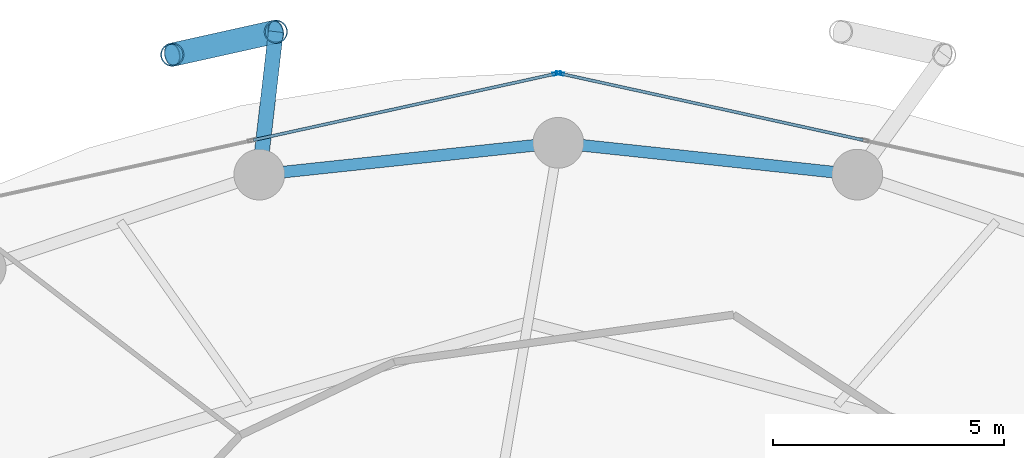
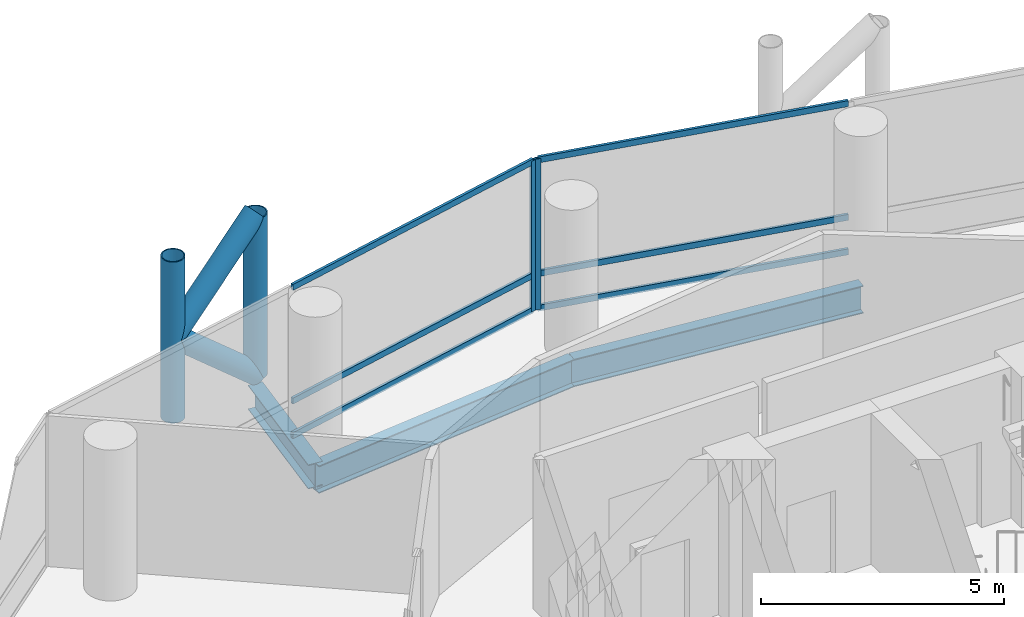
# One storey, part 16 of 24: 12 members, 3 beams, 2 elements without a shape of their own.
"""IFC4 building model written with IfcOpenShell, lengths in metres."""

import ifcopenshell
import ifcopenshell.guid

model = None  # the IFC model being written
_history = None  # IfcOwnerHistory: only IFC2X3 demands one
_inside = {}  # id of a spatial element -> (the spatial element, [elements in it])
_under = {}  # id of a project, library or spatial element -> (it, [spatial elements below it])
_declared = {}  # id of a project -> (the project, [libraries it declares])
_typed = {}  # id of a type object -> (the type object, [elements of that type])
_made_of = {}  # id of a material, layer set ... -> (it, [elements and type objects made of it])


def new_model(schema):
    """Start an empty IFC model of exactly this schema.

    Asked for "IFC4X3", IfcOpenShell would pick the latest addendum, in which some entities
    have other attributes; the version numbers below select the first issue.
    IFC2X3 requires an IfcOwnerHistory on every rooted entity: one is made here for all.
    """
    global model, _history
    if schema == "IFC4X3":
        model = ifcopenshell.file(schema_version=(4, 3, 0, 0))
    else:
        model = ifcopenshell.file(schema=schema)
    _inside.clear()
    _under.clear()
    _declared.clear()
    _typed.clear()
    _made_of.clear()
    _history = None
    if model.schema == "IFC2X3":
        org = make("IfcOrganization", Name="unknown")
        user = make(
            "IfcPersonAndOrganization",
            ThePerson=make("IfcPerson", FamilyName="unknown"),
            TheOrganization=org,
        )
        app = make(
            "IfcApplication",
            ApplicationDeveloper=org,
            Version="unknown",
            ApplicationFullName="unknown",
            ApplicationIdentifier="unknown",
        )
        _history = make(
            "IfcOwnerHistory",
            OwningUser=user,
            OwningApplication=app,
            ChangeAction="ADDED",
            CreationDate=0,
        )
    return model


def make(cls, **values):
    """One entity of the class cls with the attributes given. An attribute that is None is left unset."""
    return model.create_entity(
        cls, **{name: value for name, value in values.items() if value is not None}
    )


def rooted(cls, **values):
    """An entity with a GlobalId (a new one), such as an element, a storey or a relation."""
    return make(cls, GlobalId=ifcopenshell.guid.new(), OwnerHistory=_history, **values)


def si_unit(unit_type, name, prefix=None):
    """IfcSIUnit, for example si_unit("LENGTHUNIT", "METRE", prefix="MILLI")."""
    return make("IfcSIUnit", UnitType=unit_type, Prefix=prefix, Name=name)


def assignment(units):
    """IfcUnitAssignment: the units of a project."""
    return None if units is None else make("IfcUnitAssignment", Units=units)


def point(xyz):
    """IfcCartesianPoint."""
    return None if xyz is None else make("IfcCartesianPoint", Coordinates=xyz)


def direction(xyz):
    """IfcDirection."""
    return None if xyz is None else make("IfcDirection", DirectionRatios=xyz)


def frame(location, z_axis=None, x_axis=None):
    """IfcAxis2Placement3D, a coordinate frame: its origin and axes. An axis left out is left unset."""
    return make(
        "IfcAxis2Placement3D",
        Location=point(location),
        Axis=direction(z_axis),
        RefDirection=direction(x_axis),
    )


def frame_2d(location, x_axis=None):
    """IfcAxis2Placement2D, a coordinate frame in the plane: its origin and x axis."""
    return make(
        "IfcAxis2Placement2D", Location=point(location), RefDirection=direction(x_axis)
    )


def origin():
    """The frame at (0, 0, 0) with its axes left unset."""
    return frame((0.0, 0.0, 0.0))


def origin_2d():
    """The frame at (0, 0) in the plane with its x axis left unset."""
    return frame_2d((0.0, 0.0))


def place(relative_to, where):
    """IfcLocalPlacement: puts the frame where relative to a parent placement (None: the world)."""
    return make(
        "IfcLocalPlacement", PlacementRelTo=relative_to, RelativePlacement=where
    )


def context(
    kind, dimensions, precision=None, world=None, true_north=None, identifier=None
):
    """IfcGeometricRepresentationContext, for example the 3D "Model" context."""
    return make(
        "IfcGeometricRepresentationContext",
        ContextIdentifier=identifier,
        ContextType=kind,
        CoordinateSpaceDimension=dimensions,
        Precision=precision,
        WorldCoordinateSystem=world,
        TrueNorth=true_north,
    )


def subcontext(parent, identifier, kind, view, scale=None):
    """IfcGeometricRepresentationSubContext, for example "Body" below "Model"."""
    return make(
        "IfcGeometricRepresentationSubContext",
        ContextIdentifier=identifier,
        ContextType=kind,
        ParentContext=parent,
        TargetScale=scale,
        TargetView=view,
    )


def project(units=None, contexts=None):
    """IfcProject with its units and contexts."""
    return rooted(
        "IfcProject",
        Name="project",
        RepresentationContexts=contexts,
        UnitsInContext=assignment(units),
    )


def spatial(cls, under=None, at=None, **own):
    """A site, building, storey or space (cls), placed at a placement, below another one or the project."""
    s = rooted(cls, ObjectPlacement=at, **own)
    if under is not None:
        _under.setdefault(under.id(), (under, []))[1].append(s)
    return s


def profile(cls, at=None, kind="AREA", **sizes):
    """A parametric profile (cls). Its sizes go by their IFC names, for example OverallWidth=200.0."""
    return make(cls, ProfileType=kind, Position=at, **sizes)


def hollow_rectangle(**sizes):
    """IfcRectangleHollowProfileDef."""
    return profile("IfcRectangleHollowProfileDef", **sizes)


def hollow_circle(**sizes):
    """IfcCircleHollowProfileDef."""
    return profile("IfcCircleHollowProfileDef", **sizes)


def i_section(**sizes):
    """IfcIShapeProfileDef."""
    return profile("IfcIShapeProfileDef", **sizes)


def extrude(swept, where, along, depth):
    """IfcExtrudedAreaSolid: the profile swept, set in the frame where, extruded along a direction by depth."""
    return make(
        "IfcExtrudedAreaSolid",
        SweptArea=swept,
        Position=where,
        ExtrudedDirection=direction(along),
        Depth=depth,
    )


def shape(context_of_items, identifier, shape_type, items):
    """IfcShapeRepresentation: the items that make up one representation, for example the "Body"."""
    return make(
        "IfcShapeRepresentation",
        ContextOfItems=context_of_items,
        RepresentationIdentifier=identifier,
        RepresentationType=shape_type,
        Items=items,
    )


def material(Name=None, Category=None):
    """IfcMaterial."""
    return make("IfcMaterial", Name=Name, Category=Category)


def layer(
    of_material, thickness, ventilated=None, Name=None, Category=None, Priority=None
):
    """IfcMaterialLayer: one layer of a wall or slab, of a material (None: an air gap)."""
    return make(
        "IfcMaterialLayer",
        Material=of_material,
        LayerThickness=thickness,
        IsVentilated=ventilated,
        Name=Name,
        Category=Category,
        Priority=Priority,
    )


def layer_set(layers, Name=None):
    """IfcMaterialLayerSet."""
    return make("IfcMaterialLayerSet", MaterialLayers=layers, LayerSetName=Name)


def material_profile(
    of_material, cross_section, Name=None, Category=None, Priority=None
):
    """IfcMaterialProfile: a cross section and its material."""
    return make(
        "IfcMaterialProfile",
        Name=Name,
        Material=of_material,
        Profile=cross_section,
        Priority=Priority,
        Category=Category,
    )


def profile_set(profiles, Name=None, composite=None):
    """IfcMaterialProfileSet."""
    return make(
        "IfcMaterialProfileSet",
        Name=Name,
        MaterialProfiles=profiles,
        CompositeProfile=composite,
    )


def made_of(thing, what):
    """Note that an element or type object is made of a material, layer set ...; save() writes the relation."""
    if what is not None:
        _made_of.setdefault(what.id(), (what, []))[1].append(thing)
    return thing


def type_object(cls, material=None, **own):
    """A type object (cls), such as IfcWallType, which elements share."""
    return made_of(rooted(cls, **own), material)


def element(
    cls,
    number,
    at=None,
    inside=None,
    cuts=None,
    type_object=None,
    material=None,
    context=None,
    identifier="Body",
    shape_type=None,
    held_by="IfcProductDefinitionShape",
    body=None,
    shapes=None,
    **own,
):
    """One element of the class cls, such as IfcWall. Its Tag is "e" and its number.

    at: its placement. inside: the storey or other place that contains it. cuts: it is an
    opening in that element (IfcRelVoidsElement). A single representation is given by context,
    identifier, shape_type and body (its items); several are given by shapes. held_by: the class
    of the entity that holds the representations. save() writes the other relations.
    """
    e = rooted(cls, Tag="e%d" % number, ObjectPlacement=at, **own)
    if body is not None:
        shapes = [shape(context, identifier, shape_type, body)]
    if shapes is not None:
        e.Representation = make(held_by, Representations=shapes)
    if inside is not None:
        _inside.setdefault(inside.id(), (inside, []))[1].append(e)
    if cuts is not None:
        rooted(
            "IfcRelVoidsElement", RelatingBuildingElement=cuts, RelatedOpeningElement=e
        )
    if type_object is not None:
        _typed.setdefault(type_object.id(), (type_object, []))[1].append(e)
    return made_of(e, material)


def aggregate(whole, parts):
    """IfcRelAggregates: a whole, such as a stair, and the parts it consists of."""
    return rooted("IfcRelAggregates", RelatingObject=whole, RelatedObjects=parts)


def save(model, path):
    """Write the relations noted so far, then the file.

    IfcRelAggregates (storeys below a building ...), IfcRelContainedInSpatialStructure (elements
    in a storey), IfcRelDefinesByType, IfcRelAssociatesMaterial and IfcRelDeclares: one each for
    every whole, place, type object, material and project.
    """
    for whole, parts in _under.values():
        aggregate(whole, parts)
    for where, things in _inside.values():
        rooted(
            "IfcRelContainedInSpatialStructure",
            RelatedElements=things,
            RelatingStructure=where,
        )
    for kind, things in _typed.values():
        rooted("IfcRelDefinesByType", RelatedObjects=things, RelatingType=kind)
    for what, things in _made_of.values():
        rooted("IfcRelAssociatesMaterial", RelatedObjects=things, RelatingMaterial=what)
    for by, libraries in _declared.values():
        rooted("IfcRelDeclares", RelatingContext=by, RelatedDefinitions=libraries)
    model.write(path)


model = new_model("IFC4")

# Units and contexts
model_context = context("Model", 3, precision=1e-05, world=origin(), true_north=direction((0.0, 1.0)))
body_context = subcontext(model_context, "Body", "Model", "MODEL_VIEW")
ifc_project = project(units=[si_unit("LENGTHUNIT", "METRE"), si_unit("AREAUNIT", "SQUARE_METRE"), si_unit("VOLUMEUNIT", "CUBIC_METRE"), si_unit("PLANEANGLEUNIT", "RADIAN"), si_unit("MASSUNIT", "GRAM", prefix="KILO")], contexts=[model_context])

# Site, building, storey
site_placement = place(None, origin())
site = spatial("IfcSite", under=ifc_project, at=site_placement, CompositionType="ELEMENT")
building_placement = place(site_placement, origin())
building = spatial("IfcBuilding", under=site, at=building_placement, Name="Nuhasar Tower", CompositionType="ELEMENT")
storey_placement = place(building_placement, frame((0.0, 0.0, 37.199951171875)))
storey = spatial("IfcBuildingStorey", under=building, at=storey_placement, Name="L08", CompositionType="ELEMENT", Elevation=37.199951171875)

# Beams
ifc_material_1 = material(Name="Steel S355", Category="steel")
ifc_material_profile_1 = material_profile(ifc_material_1, i_section(OverallWidth=0.256103515625, OverallDepth=0.693115234375, WebThickness=0.014404296875, FlangeThickness=0.023681640625, at=origin_2d()), Name="W27X114")
ifc_profile_set_1 = profile_set([ifc_material_profile_1], Name="Steel S355")
beam_type_1 = type_object("IfcBeamType", Name="BM-RING-W27X114", PredefinedType="SPANDREL", material=ifc_profile_set_1)
for number, where, z_axis, x_axis, name in (
    (1, (45.48291015625, 46.360107421875, -0.60693359375), (-0.994384554061, 0.105827022286, 0.0), (-0.105827022286, -0.994384554061, 0.0), "L08 Perimeter Ring Spandrel 06"),
    (2, (39.0, 47.050048828125, -0.60693359375), (-0.994384554061, -0.105827022286, 0.0), (0.105827022286, -0.994384554061, 0.0), "L08 Perimeter Ring Spandrel 07"),
):
    element("IfcBeam", number, at=place(storey_placement, frame(where, z_axis=z_axis, x_axis=x_axis)), inside=storey, type_object=beam_type_1, Name=name, PredefinedType="SPANDREL", context=body_context, shape_type="SweptSolid", body=[
        extrude(i_section(OverallWidth=0.256103515625, OverallDepth=0.693115234375, WebThickness=0.014404296875, FlangeThickness=0.023681640625, at=origin_2d()), origin(), (0.0, 0.0, 1.0), 6.51953125),
    ])
ifc_material_profile_2 = material_profile(ifc_material_1, i_section(OverallWidth=0.323974609375, OverallDepth=0.611083984375, WebThickness=0.0126953125, FlangeThickness=0.01904296875, at=origin_2d()), Name="W24X104")
ifc_profile_set_2 = profile_set([ifc_material_profile_2], Name="Steel S355")
beam_type_2 = type_object("IfcBeamType", Name="BM-TIE-W24X104", PredefinedType="BEAM", material=ifc_profile_set_2)
beam_placement = place(storey_placement, frame((32.51708984375, 46.360107421875, -0.56591796875), z_axis=(0.115042934281, 0.993360520291, 0.0), x_axis=(-0.993360520291, 0.115042934281, 0.0)))
element("IfcBeam", 3, at=beam_placement, inside=storey, type_object=beam_type_2, Name="L08 Exoskeleton Node Tie Beam 04", PredefinedType="BEAM", context=body_context, shape_type="SweptSolid", body=[
    extrude(i_section(OverallWidth=0.323974609375, OverallDepth=0.611083984375, WebThickness=0.0126953125, FlangeThickness=0.01904296875, at=origin_2d()), origin(), (0.0, 0.0, 1.0), 3.11962890625),
])

# Curtain wall, member
ifc_material_2 = material(Name="Aluminium 6063-T6", Category="aluminium")
ifc_layer = layer(ifc_material_2, 0.199951171875)
ifc_layer_set = layer_set([ifc_layer], Name="Aluminium 6063-T6")
curtain_wall_type = type_object("IfcCurtainWallType", Name="CW-Z1-OFF", PredefinedType="NOTDEFINED", material=ifc_layer_set)
curtain_wall_1_placement = place(storey_placement, origin())
curtain_wall_1 = element("IfcCurtainWall", 4, at=curtain_wall_1_placement, inside=storey, type_object=curtain_wall_type, Name="L08 Unitised Curtain Wall 03", PredefinedType="NOTDEFINED")
ifc_material_profile_3 = material_profile(ifc_material_2, hollow_rectangle(XDim=0.06494140625, YDim=0.179931640625, WallThickness=0.0048828125, at=origin_2d()), Name="CWM-2")
ifc_profile_set_3 = profile_set([ifc_material_profile_3], Name="Aluminium 6063-T6")
member_type_1 = type_object("IfcMemberType", Name="CW-MUL-S2", PredefinedType="MULLION", material=ifc_profile_set_3)
member_1_placement = place(storey_placement, frame((39.03173828125, 48.552978515625, 0.0), z_axis=(0.0, 0.0, 1.0), x_axis=(-0.214398737637, -0.976746221544, 0.0)))
member_1 = element("IfcMember", 5, at=member_1_placement, type_object=member_type_1, Name="CW-Z1 mullion 3", PredefinedType="MULLION", context=body_context, shape_type="SweptSolid", body=[
    extrude(hollow_rectangle(XDim=0.06494140625, YDim=0.179931640625, WallThickness=0.0048828125, at=origin_2d()), origin(), (0.0, 0.0, 1.0), 3.7900390625),
])

curtain_wall_2_placement = place(storey_placement, origin())
curtain_wall_2 = element("IfcCurtainWall", 6, at=curtain_wall_2_placement, inside=storey, type_object=curtain_wall_type, Name="L08 Unitised Curtain Wall 04", PredefinedType="NOTDEFINED")
member_2_placement = place(storey_placement, frame((38.96826171875, 48.552978515625, 0.0), z_axis=(0.0, 0.0, 1.0), x_axis=(0.214398737637, -0.976746221544, 0.0)))
member_2 = element("IfcMember", 7, at=member_2_placement, type_object=member_type_1, Name="CW-Z1 mullion 1", PredefinedType="MULLION", context=body_context, shape_type="SweptSolid", body=[
    extrude(hollow_rectangle(XDim=0.06494140625, YDim=0.179931640625, WallThickness=0.0048828125, at=origin_2d()), origin(), (0.0, 0.0, 1.0), 3.7900390625),
])

# Member
ifc_material_profile_4 = material_profile(ifc_material_2, hollow_rectangle(XDim=0.06494140625, YDim=0.14990234375, WallThickness=0.00439453125, at=origin_2d()), Name="CWT-2")
ifc_profile_set_4 = profile_set([ifc_material_profile_4], Name="Aluminium 6063-T6")
member_type_2 = type_object("IfcMemberType", Name="CW-TRN-S2", PredefinedType="USERDEFINED", material=ifc_profile_set_4)
member_3_placement = place(storey_placement, frame((45.608154296875, 47.109375, 0.032470703125), z_axis=(-0.976740248595, 0.214425947065, 0.0), x_axis=(-0.214425947065, -0.976740248595, 0.0)))
member_3 = element("IfcMember", 8, at=member_3_placement, type_object=member_type_2, Name="CW-Z1 transom 2.1", ObjectType="TRANSOM", PredefinedType="USERDEFINED", context=body_context, shape_type="SweptSolid", body=[
    extrude(hollow_rectangle(XDim=0.06494140625, YDim=0.14990234375, WallThickness=0.00439453125, at=origin_2d()), origin(), (0.0, 0.0, 1.0), 6.700439453125),
])

member_4_placement = place(storey_placement, frame((45.608154296875, 47.109375, 0.900146484375), z_axis=(-0.976740248595, 0.214425947065, 0.0), x_axis=(-0.214425947065, -0.976740248595, 0.0)))
member_4 = element("IfcMember", 9, at=member_4_placement, type_object=member_type_2, Name="CW-Z1 transom 2.2", ObjectType="TRANSOM", PredefinedType="USERDEFINED", context=body_context, shape_type="SweptSolid", body=[
    extrude(hollow_rectangle(XDim=0.06494140625, YDim=0.14990234375, WallThickness=0.00439453125, at=origin_2d()), origin(), (0.0, 0.0, 1.0), 6.700439453125),
])

member_5_placement = place(storey_placement, frame((45.608154296875, 47.109375, 3.757568359375), z_axis=(-0.976740248595, 0.214425947065, 0.0), x_axis=(-0.214425947065, -0.976740248595, 0.0)))
member_5 = element("IfcMember", 10, at=member_5_placement, type_object=member_type_2, Name="CW-Z1 transom 2.3", ObjectType="TRANSOM", PredefinedType="USERDEFINED", context=body_context, shape_type="SweptSolid", body=[
    extrude(hollow_rectangle(XDim=0.06494140625, YDim=0.14990234375, WallThickness=0.00439453125, at=origin_2d()), origin(), (0.0, 0.0, 1.0), 6.700439453125),
])

aggregate(curtain_wall_1, [member_1, member_3, member_4, member_5])

member_6_placement = place(storey_placement, frame((38.9365234375, 48.546142578125, 0.032470703125), z_axis=(-0.976740248595, -0.214425947065, 0.0), x_axis=(0.214425947065, -0.976740248595, 0.0)))
member_6 = element("IfcMember", 11, at=member_6_placement, type_object=member_type_2, Name="CW-Z1 transom 1.1", ObjectType="TRANSOM", PredefinedType="USERDEFINED", context=body_context, shape_type="SweptSolid", body=[
    extrude(hollow_rectangle(XDim=0.06494140625, YDim=0.14990234375, WallThickness=0.00439453125, at=origin_2d()), origin(), (0.0, 0.0, 1.0), 6.700439453125),
])

member_7_placement = place(storey_placement, frame((38.9365234375, 48.546142578125, 0.900146484375), z_axis=(-0.976740248595, -0.214425947065, 0.0), x_axis=(0.214425947065, -0.976740248595, 0.0)))
member_7 = element("IfcMember", 12, at=member_7_placement, type_object=member_type_2, Name="CW-Z1 transom 1.2", ObjectType="TRANSOM", PredefinedType="USERDEFINED", context=body_context, shape_type="SweptSolid", body=[
    extrude(hollow_rectangle(XDim=0.06494140625, YDim=0.14990234375, WallThickness=0.00439453125, at=origin_2d()), origin(), (0.0, 0.0, 1.0), 6.700439453125),
])

member_8_placement = place(storey_placement, frame((38.9365234375, 48.546142578125, 3.757568359375), z_axis=(-0.976740248595, -0.214425947065, 0.0), x_axis=(0.214425947065, -0.976740248595, 0.0)))
member_8 = element("IfcMember", 13, at=member_8_placement, type_object=member_type_2, Name="CW-Z1 transom 1.3", ObjectType="TRANSOM", PredefinedType="USERDEFINED", context=body_context, shape_type="SweptSolid", body=[
    extrude(hollow_rectangle(XDim=0.06494140625, YDim=0.14990234375, WallThickness=0.00439453125, at=origin_2d()), origin(), (0.0, 0.0, 1.0), 6.700439453125),
])

aggregate(curtain_wall_2, [member_2, member_6, member_7, member_8])

# Members
ifc_material_3 = material(Name="Steel S460", Category="steel")
ifc_material_profile_5 = material_profile(ifc_material_3, hollow_circle(Radius=0.25390625, WallThickness=0.025390625, at=origin_2d()), Name="HSS508X25.4")
ifc_profile_set_5 = profile_set([ifc_material_profile_5], Name="Steel S460")
member_type_3 = type_object("IfcMemberType", Name="EXO-BRONZE-508", PredefinedType="BRACE", material=ifc_profile_set_5)
for number, where, z_axis, x_axis, name in (
    (14, (32.8759765625, 49.458984375, 0.0), (0.0, 0.0, 1.0), (1.0, 0.0, 0.0), "L08 Exoskeleton Chord Column EC-04A"),
    (15, (30.6298828125, 48.9599609375, 0.0), (0.0, 0.0, 1.0), (1.0, 0.0, 0.0), "L08 Exoskeleton Chord Column EC-04B"),
):
    element("IfcMember", number, at=place(storey_placement, frame(where, z_axis=z_axis, x_axis=x_axis)), inside=storey, type_object=member_type_3, Name=name, PredefinedType="BRACE", context=body_context, shape_type="SweptSolid", body=[
        extrude(hollow_circle(Radius=0.25390625, WallThickness=0.025390625, at=origin_2d()), origin(), (0.0, 0.0, 1.0), 4.050048828125),
    ])
member_9_placement = place(storey_placement, frame((32.8759765625, 49.458984375, 0.0), z_axis=(-0.732782908552, -0.162805246204, 0.660699372439), x_axis=(0.216885517571, -0.97619704582, 0.0)))
element("IfcMember", 16, at=member_9_placement, inside=storey, type_object=member_type_3, Name="L08 Bronze Diagrid Brace W1-04", PredefinedType="BRACE", context=body_context, shape_type="SweptSolid", body=[
    extrude(hollow_circle(Radius=0.25390625, WallThickness=0.025390625, at=origin_2d()), origin(), (0.0, 0.0, 1.0), 3.065185546875),
])
member_10_placement = place(storey_placement, frame((30.6298828125, 48.9599609375, 2.025146484375), z_axis=(0.732821471909, 0.162813813976, 0.660654487828), x_axis=(-0.216885517571, 0.97619704582, 0.0)))
element("IfcMember", 17, at=member_10_placement, inside=storey, type_object=member_type_3, Name="L08 Bronze Diagrid Brace W2-04", PredefinedType="BRACE", context=body_context, shape_type="SweptSolid", body=[
    extrude(hollow_circle(Radius=0.25390625, WallThickness=0.025390625, at=origin_2d()), origin(), (0.0, 0.0, 1.0), 3.06494140625),
])

save(model, "model.ifc")
